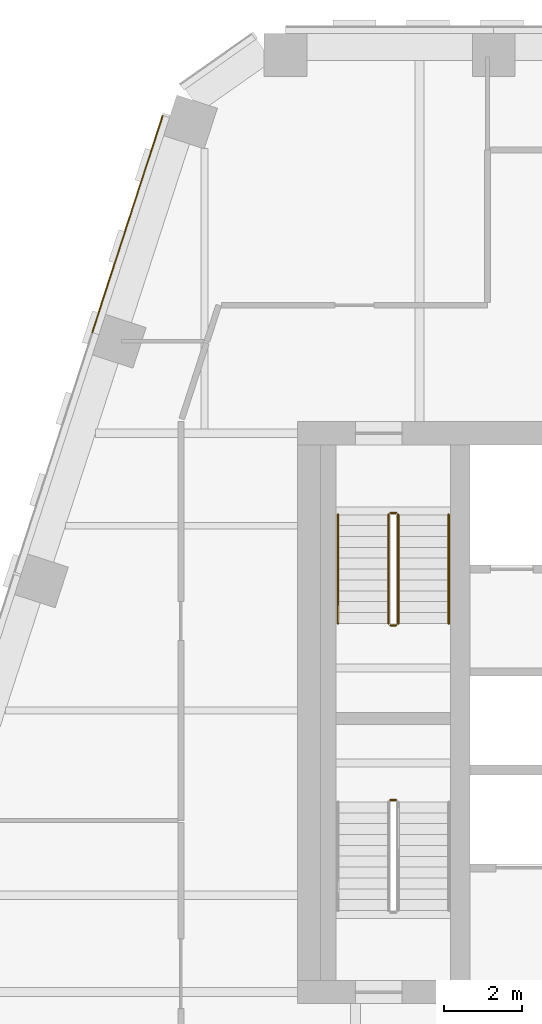
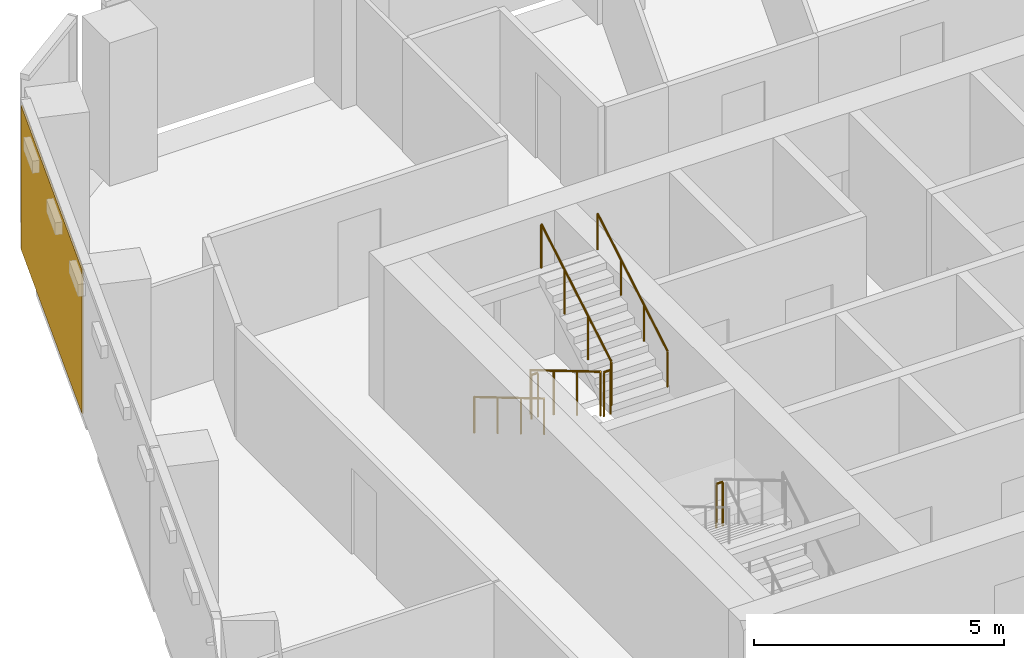
# One storey, part 15 of 16: 7 railings, 1 covering, 1 element without a shape of its own.
"""IFC4 building model written with IfcOpenShell, lengths in metres."""

from ifc_helpers import new_model, si_unit, direction, frame, origin, origin_2d, place, context, subcontext, project, spatial, rectangle, circle, extrude, material, layer, layer_set, type_object, element, aggregate, save


model = new_model("IFC4")

# Units and contexts
model_context = context("Model", 3, precision=1e-05, world=origin(), true_north=direction((0.0, 1.0)))
body_context = subcontext(model_context, "Body", "Model", "MODEL_VIEW")
ifc_project = project(units=[si_unit("LENGTHUNIT", "METRE"), si_unit("AREAUNIT", "SQUARE_METRE"), si_unit("VOLUMEUNIT", "CUBIC_METRE"), si_unit("PLANEANGLEUNIT", "RADIAN"), si_unit("MASSUNIT", "GRAM", prefix="KILO")], contexts=[model_context])

# Site, building, storey
site_placement = place(None, origin())
site = spatial("IfcSite", under=ifc_project, at=site_placement, CompositionType="ELEMENT")
building_placement = place(site_placement, origin())
building = spatial("IfcBuilding", under=site, at=building_placement, Name="Isthmus Gate Tower", CompositionType="ELEMENT")
storey_placement = place(building_placement, frame((0.0, 0.0, 216.300048828125)))
storey = spatial("IfcBuildingStorey", under=building, at=storey_placement, Name="L54", CompositionType="ELEMENT", Elevation=216.300048828125)

# Curtain wall, covering
ifc_material_1 = material(Name="Aluminium, pale champagne anodised", Category="aluminium")
ifc_layer_1 = layer(ifc_material_1, 0.199951171875)
ifc_layer_set_1 = layer_set([ifc_layer_1], Name="CW-1 UNITISED CURTAIN WALL 200 DEEP")
curtain_wall_type = type_object("IfcCurtainWallType", Name="CW-1 UNITISED CURTAIN WALL 200 DEEP", PredefinedType="NOTDEFINED", material=ifc_layer_set_1)
curtain_wall_placement = place(storey_placement, origin())
curtain_wall = element("IfcCurtainWall", 1, at=curtain_wall_placement, inside=storey, type_object=curtain_wall_type, Name="CW-1 NW L54", PredefinedType="NOTDEFINED")
ifc_material_2 = material(Name="Aluminium composite panel, pale champagne anodised", Category="aluminium")
ifc_layer_2 = layer(ifc_material_2, 0.031982421875)
ifc_layer_set_2 = layer_set([ifc_layer_2], Name="CW-1 PALE METAL PANEL 32")
covering_type = type_object("IfcCoveringType", Name="CW-1 PALE METAL PANEL 32", PredefinedType="CLADDING", material=ifc_layer_set_2)
covering_placement = place(storey_placement, frame((-19.37646484375, 20.0947265625, 0.0), z_axis=(0.0, 0.0, 1.0), x_axis=(-0.309016994375, -0.951056516295, 0.0)))
covering = element("IfcCovering", 2, at=covering_placement, type_object=covering_type, Name="CW-1 pale metal panel", PredefinedType="CLADDING", context=body_context, shape_type="SweptSolid", body=[
    extrude(rectangle(XDim=5.8818359375, YDim=0.031982421875, at=origin_2d()), origin(), (0.0, 0.0, 1.0), 3.52001953125),
])
aggregate(curtain_wall, [covering])

# Railings
ifc_material_3 = material(Name="Stainless steel balustrade", Category="steel")
railing_type_1 = type_object("IfcRailingType", Name="STAIR GUARD 1100", PredefinedType="GUARDRAIL", material=ifc_material_3)
railing_1_placement = place(storey_placement, frame((-12.64990234375, 12.60009765625, 0.165771484375)))
element("IfcRailing", 3, at=railing_1_placement, inside=storey, type_object=railing_type_1, Name="L54 ST1 stair guard 1", PredefinedType="GUARDRAIL", context=body_context, shape_type="SweptSolid", body=[
    extrude(circle(Radius=0.02392578125, at=origin_2d()), frame((0.0, 0.0, 1.076171875), z_axis=(0.0, -0.860306154799, 0.50977771628), x_axis=(1.0, 0.0, 0.0)), (0.0, 0.0, 1.0), 3.254638671875),
    extrude(circle(Radius=0.02099609375, at=origin_2d()), origin(), (0.0, 0.0, 1.0), 1.052001953125),
    extrude(circle(Radius=0.02099609375, at=origin_2d()), frame((0.0, -0.933349609375, 0.552978515625)), (0.0, 0.0, 1.0), 1.052001953125),
    extrude(circle(Radius=0.02099609375, at=origin_2d()), frame((0.0, -1.86669921875, 1.106201171875)), (0.0, 0.0, 1.0), 1.052001953125),
    extrude(circle(Radius=0.02099609375, at=origin_2d()), frame((0.0, -2.800048828125, 1.6591796875)), (0.0, 0.0, 1.0), 1.052001953125),
])
railing_2_placement = place(storey_placement, frame((-12.60009765625, 9.75, 1.824951171875)))
element("IfcRailing", 4, at=railing_2_placement, inside=storey, type_object=railing_type_1, Name="L54 ST1 stair guard 2", PredefinedType="GUARDRAIL", context=body_context, shape_type="SweptSolid", body=[
    extrude(circle(Radius=0.02392578125, at=origin_2d()), frame((0.0, 0.0, 1.076171875), z_axis=(1.0, 0.0, 0.0), x_axis=(0.0, 1.0, 0.0)), (0.0, 0.0, 1.0), 0.150146484375),
    extrude(circle(Radius=0.02099609375, at=origin_2d()), origin(), (0.0, 0.0, 1.0), 1.052001953125),
    extrude(circle(Radius=0.02099609375, at=origin_2d()), frame((0.150146484375, 0.0, 0.0)), (0.0, 0.0, 1.0), 1.052001953125),
])
railing_3_placement = place(storey_placement, frame((-12.39990234375, 9.800048828125, 1.990966796875)))
element("IfcRailing", 5, at=railing_3_placement, inside=storey, type_object=railing_type_1, Name="L54 ST1 stair guard 3", PredefinedType="GUARDRAIL", context=body_context, shape_type="SweptSolid", body=[
    extrude(circle(Radius=0.02392578125, at=origin_2d()), frame((0.0, 0.0, 1.076171875), z_axis=(0.0, 0.860339051648, 0.50972219513), x_axis=(-1.0, 0.0, 0.0)), (0.0, 0.0, 1.0), 3.254638671875),
    extrude(circle(Radius=0.02099609375, at=origin_2d()), origin(), (0.0, 0.0, 1.0), 1.052001953125),
    extrude(circle(Radius=0.02099609375, at=origin_2d()), frame((0.0, 0.933349609375, 0.552978515625)), (0.0, 0.0, 1.0), 1.052001953125),
    extrude(circle(Radius=0.02099609375, at=origin_2d()), frame((0.0, 1.86669921875, 1.10595703125)), (0.0, 0.0, 1.0), 1.052001953125),
    extrude(circle(Radius=0.02099609375, at=origin_2d()), frame((0.0, 2.800048828125, 1.658935546875)), (0.0, 0.0, 1.0), 1.052001953125),
])
railing_4_placement = place(storey_placement, frame((-12.60009765625, 12.64990234375, 0.0)))
element("IfcRailing", 6, at=railing_4_placement, inside=storey, type_object=railing_type_1, Name="L54 ST1 stair guard 4", PredefinedType="GUARDRAIL", context=body_context, shape_type="SweptSolid", body=[
    extrude(circle(Radius=0.02392578125, at=origin_2d()), frame((0.0, 0.0, 1.076171875), z_axis=(1.0, 0.0, 0.0), x_axis=(0.0, 1.0, 0.0)), (0.0, 0.0, 1.0), 0.150146484375),
    extrude(circle(Radius=0.02099609375, at=origin_2d()), origin(), (0.0, 0.0, 1.0), 1.052001953125),
    extrude(circle(Radius=0.02099609375, at=origin_2d()), frame((0.150146484375, 0.0, 0.0)), (0.0, 0.0, 1.0), 1.052001953125),
])
railing_5_placement = place(storey_placement, frame((-12.449951171875, 5.25, 1.824951171875)))
element("IfcRailing", 7, at=railing_5_placement, inside=storey, type_object=railing_type_1, Name="L54 ST7 stair guard 2", PredefinedType="GUARDRAIL", context=body_context, shape_type="SweptSolid", body=[
    extrude(circle(Radius=0.02392578125, at=origin_2d()), frame((0.0, 0.0, 1.076171875), z_axis=(-1.0, 0.0, 0.0), x_axis=(0.0, -1.0, 0.0)), (0.0, 0.0, 1.0), 0.150146484375),
    extrude(circle(Radius=0.02099609375, at=origin_2d()), origin(), (0.0, 0.0, 1.0), 1.052001953125),
    extrude(circle(Radius=0.02099609375, at=origin_2d()), frame((-0.150146484375, 0.0, 0.0)), (0.0, 0.0, 1.0), 1.052001953125),
])
ifc_material_4 = material(Name="Stainless steel handrail", Category="steel")
railing_type_2 = type_object("IfcRailingType", Name="STAIR HANDRAIL 900", PredefinedType="HANDRAIL", material=ifc_material_4)
railing_6_placement = place(storey_placement, frame((-13.949951171875, 12.60009765625, 0.165771484375)))
element("IfcRailing", 8, at=railing_6_placement, inside=storey, type_object=railing_type_2, Name="L54 ST1 stair handrail 1", PredefinedType="HANDRAIL", context=body_context, shape_type="SweptSolid", body=[
    extrude(circle(Radius=0.02392578125, at=origin_2d()), frame((0.0, 0.0, 0.8759765625), z_axis=(0.0, -0.860306154799, 0.50977771628), x_axis=(1.0, 0.0, 0.0)), (0.0, 0.0, 1.0), 3.254638671875),
    extrude(circle(Radius=0.02099609375, at=origin_2d()), origin(), (0.0, 0.0, 1.0), 0.851806640625),
    extrude(circle(Radius=0.02099609375, at=origin_2d()), frame((0.0, -0.933349609375, 0.552978515625)), (0.0, 0.0, 1.0), 0.851806640625),
    extrude(circle(Radius=0.02099609375, at=origin_2d()), frame((0.0, -1.86669921875, 1.106201171875)), (0.0, 0.0, 1.0), 0.851806640625),
    extrude(circle(Radius=0.02099609375, at=origin_2d()), frame((0.0, -2.800048828125, 1.6591796875)), (0.0, 0.0, 1.0), 0.851806640625),
])
railing_7_placement = place(storey_placement, frame((-11.10009765625, 9.800048828125, 1.990966796875)))
element("IfcRailing", 9, at=railing_7_placement, inside=storey, type_object=railing_type_2, Name="L54 ST1 stair handrail 2", PredefinedType="HANDRAIL", context=body_context, shape_type="SweptSolid", body=[
    extrude(circle(Radius=0.02392578125, at=origin_2d()), frame((0.0, 0.0, 0.8759765625), z_axis=(0.0, 0.860339051648, 0.50972219513), x_axis=(-1.0, 0.0, 0.0)), (0.0, 0.0, 1.0), 3.254638671875),
    extrude(circle(Radius=0.02099609375, at=origin_2d()), origin(), (0.0, 0.0, 1.0), 0.851806640625),
    extrude(circle(Radius=0.02099609375, at=origin_2d()), frame((0.0, 0.933349609375, 0.552978515625)), (0.0, 0.0, 1.0), 0.851806640625),
    extrude(circle(Radius=0.02099609375, at=origin_2d()), frame((0.0, 1.86669921875, 1.10595703125)), (0.0, 0.0, 1.0), 0.851806640625),
    extrude(circle(Radius=0.02099609375, at=origin_2d()), frame((0.0, 2.800048828125, 1.658935546875)), (0.0, 0.0, 1.0), 0.851806640625),
])

save(model, "model.ifc")
